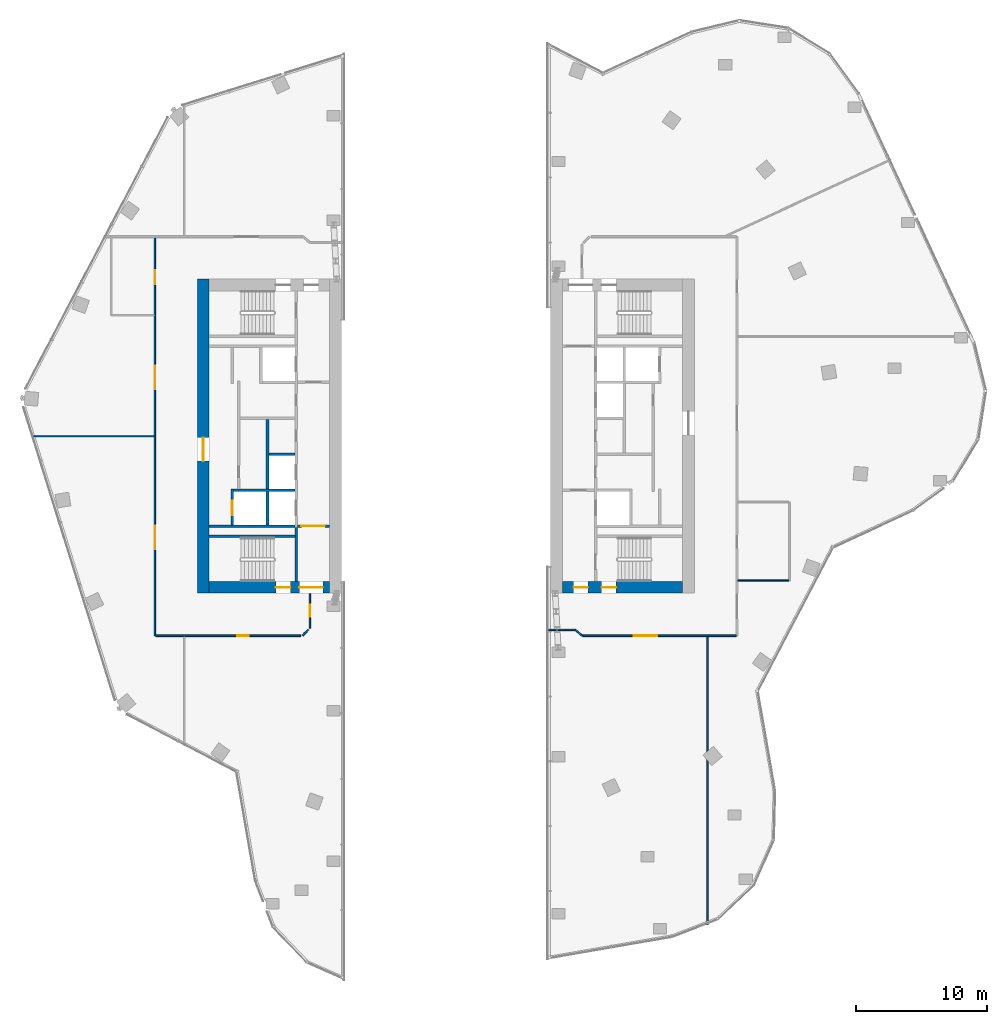
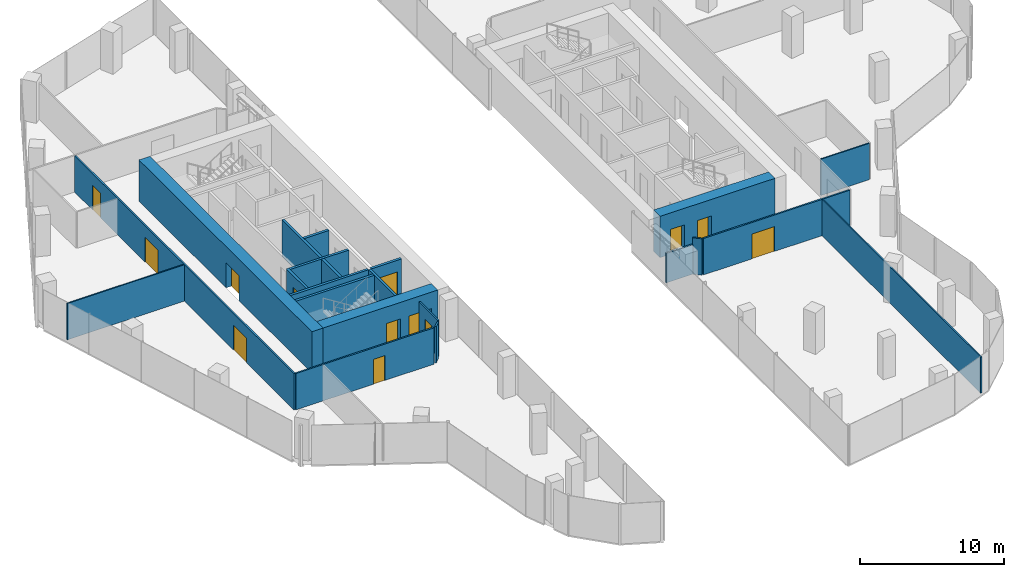
# One storey, part 18 of 23: 22 walls, 13 doors, 13 openings.
"""IFC4 building model written with IfcOpenShell, lengths in metres."""

from ifc_helpers import new_model, si_unit, direction, frame, frame_2d, origin, place, context, subcontext, project, spatial, rectangle, extrude, material, layer, layer_set, type_object, element, fill, save


model = new_model("IFC4")

# Units and contexts
model_context = context("Model", 3, precision=1e-05, world=origin(), true_north=direction((0.0, 1.0)))
body_context = subcontext(model_context, "Body", "Model", "MODEL_VIEW")
ifc_project = project(units=[si_unit("LENGTHUNIT", "METRE"), si_unit("AREAUNIT", "SQUARE_METRE"), si_unit("VOLUMEUNIT", "CUBIC_METRE"), si_unit("PLANEANGLEUNIT", "RADIAN"), si_unit("MASSUNIT", "GRAM", prefix="KILO")], contexts=[model_context])

# Site, building, storey
site_placement = place(None, origin())
site = spatial("IfcSite", under=ifc_project, at=site_placement, CompositionType="ELEMENT")
building_placement = place(site_placement, origin())
building = spatial("IfcBuilding", under=site, at=building_placement, Name="Orlundy Tower", CompositionType="ELEMENT")
storey_placement = place(building_placement, frame((0.0, 0.0, 257.0)))
storey = spatial("IfcBuildingStorey", under=building, at=storey_placement, Name="L68", CompositionType="ELEMENT", Elevation=257.0)

# Wall, openings, doors
ifc_material_1 = material(Name="Concrete C60/75", Category="concrete")
ifc_layer_1 = layer(ifc_material_1, 0.89990234375)
ifc_layer_set_1 = layer_set([ifc_layer_1], Name="CORE WALL 900 C60/75")
wall_type_1 = type_object("IfcWallType", Name="CORE WALL 900 C60/75", PredefinedType="SHEAR", material=ifc_layer_set_1)
wall_1_placement = place(storey_placement, frame((-18.10009765625, -11.550048828125, 0.0), z_axis=(0.0, 0.0, 1.0), x_axis=(1.0, 0.0, 0.0)))
wall_1 = element("IfcWall", 1, at=wall_1_placement, inside=storey, type_object=wall_type_1, Name="Core wall W-S L68", PredefinedType="SHEAR", context=body_context, shape_type="SweptSolid", body=[
    extrude(rectangle(XDim=9.2001953125, YDim=0.89990234375, at=frame_2d((4.60009765625, 0.0))), origin(), (0.0, 0.0, 1.0), 3.5),
])
opening_1_placement = place(wall_1_placement, frame((6.89990234375, 0.0, 0.0)))
opening_1 = element("IfcOpeningElement", 2, at=opening_1_placement, cuts=wall_1, Name="Opening 52012", PredefinedType="OPENING", context=body_context, shape_type="SweptSolid", body=[
    extrude(rectangle(XDim=1.800048828125, YDim=2.10009765625, at=frame_2d((0.89990234375, 1.050048828125))), frame((0.0, 0.4599609375, 0.0), z_axis=(0.0, -1.0, 0.0), x_axis=(1.0, 0.0, 0.0)), (0.0, 0.0, 1.0), 0.919921875),
])
opening_2_placement = place(wall_1_placement, frame((5.10009765625, 0.0, 0.0)))
opening_2 = element("IfcOpeningElement", 3, at=opening_2_placement, cuts=wall_1, Name="Opening 52014", PredefinedType="OPENING", context=body_context, shape_type="SweptSolid", body=[
    extrude(rectangle(XDim=1.10009765625, YDim=2.10009765625, at=frame_2d((0.550048828125, 1.050048828125))), frame((0.0, 0.4599609375, 0.0), z_axis=(0.0, -1.0, 0.0), x_axis=(1.0, 0.0, 0.0)), (0.0, 0.0, 1.0), 0.919921875),
])
ifc_material_2 = material(Name="Timber door set", Category="wood")
door_type_1 = type_object("IfcDoorType", Name="Lobby Door 1800x2100", OperationType="DOUBLE_DOOR_DOUBLE_SWING", PredefinedType="DOOR", material=ifc_material_2)
door_1_placement = place(opening_1_placement, origin())
door_1 = element("IfcDoor", 4, at=door_1_placement, inside=storey, type_object=door_type_1, Name="Passage door 52012", OperationType="SINGLE_SWING_RIGHT", OverallHeight=2.10009765625, OverallWidth=1.800048828125, PredefinedType="DOOR", context=body_context, shape_type="SweptSolid", body=[
    extrude(rectangle(XDim=1.800048828125, YDim=2.10009765625, at=frame_2d((0.89990234375, 1.050048828125))), frame((0.0, 0.02490234375, 0.0), z_axis=(0.0, -1.0, 0.0), x_axis=(1.0, 0.0, 0.0)), (0.0, 0.0, 1.0), 0.050048828125),
])
fill(opening_1, door_1)
ifc_material_3 = material(Name="Steel door set", Category="steel")
door_type_2 = type_object("IfcDoorType", Name="Stair Door 1100x2100", OperationType="SINGLE_SWING_LEFT", PredefinedType="DOOR", material=ifc_material_3)
door_2_placement = place(opening_2_placement, origin())
door_2 = element("IfcDoor", 5, at=door_2_placement, inside=storey, type_object=door_type_2, Name="Stair door 52014", OperationType="SINGLE_SWING_RIGHT", OverallHeight=2.10009765625, OverallWidth=1.10009765625, PredefinedType="DOOR", context=body_context, shape_type="SweptSolid", body=[
    extrude(rectangle(XDim=1.10009765625, YDim=2.10009765625, at=frame_2d((0.550048828125, 1.050048828125))), frame((0.0, 0.02490234375, 0.0), z_axis=(0.0, -1.0, 0.0), x_axis=(1.0, 0.0, 0.0)), (0.0, 0.0, 1.0), 0.050048828125),
])
fill(opening_2, door_2)

# Wall, opening, door
wall_2_placement = place(storey_placement, frame((-18.550048828125, -12.0, 0.0), z_axis=(0.0, 0.0, 1.0), x_axis=(0.0, 1.0, 0.0)))
wall_2 = element("IfcWall", 6, at=wall_2_placement, inside=storey, type_object=wall_type_1, Name="Core wall W-W L68", PredefinedType="SHEAR", context=body_context, shape_type="SweptSolid", body=[
    extrude(rectangle(XDim=24.0, YDim=0.89990234375, at=frame_2d((12.0, 0.0))), origin(), (0.0, 0.0, 1.0), 3.5),
])
opening_3_placement = place(wall_2_placement, frame((10.10009765625, 0.0, 0.0)))
opening_3 = element("IfcOpeningElement", 7, at=opening_3_placement, cuts=wall_2, Name="Opening 52008", PredefinedType="OPENING", context=body_context, shape_type="SweptSolid", body=[
    extrude(rectangle(XDim=1.800048828125, YDim=2.10009765625, at=frame_2d((0.89990234375, 1.050048828125))), frame((0.0, 0.4599609375, 0.0), z_axis=(0.0, -1.0, 0.0), x_axis=(1.0, 0.0, 0.0)), (0.0, 0.0, 1.0), 0.919921875),
])
door_3_placement = place(opening_3_placement, origin())
door_3 = element("IfcDoor", 8, at=door_3_placement, inside=storey, type_object=door_type_1, Name="Lift lobby door 52008", OperationType="SINGLE_SWING_LEFT", OverallHeight=2.10009765625, OverallWidth=1.800048828125, PredefinedType="DOOR", context=body_context, shape_type="SweptSolid", body=[
    extrude(rectangle(XDim=1.800048828125, YDim=2.10009765625, at=frame_2d((0.89990234375, 1.050048828125))), frame((0.0, 0.02490234375, 0.0), z_axis=(0.0, -1.0, 0.0), x_axis=(1.0, 0.0, 0.0)), (0.0, 0.0, 1.0), 0.050048828125),
])
fill(opening_3, door_3)

# Wall, openings, doors
wall_3_placement = place(storey_placement, frame((8.89990234375, -11.550048828125, 0.0), z_axis=(0.0, 0.0, 1.0), x_axis=(1.0, 0.0, 0.0)))
wall_3 = element("IfcWall", 9, at=wall_3_placement, inside=storey, type_object=wall_type_1, Name="Core wall E-S L68", PredefinedType="SHEAR", context=body_context, shape_type="SweptSolid", body=[
    extrude(rectangle(XDim=9.2001953125, YDim=0.89990234375, at=frame_2d((4.60009765625, 0.0))), origin(), (0.0, 0.0, 1.0), 3.5),
])
opening_4_placement = place(wall_3_placement, frame((0.85009765625, 0.0, 0.0)))
opening_4 = element("IfcOpeningElement", 10, at=opening_4_placement, cuts=wall_3, Name="Opening 52058", PredefinedType="OPENING", context=body_context, shape_type="SweptSolid", body=[
    extrude(rectangle(XDim=1.10009765625, YDim=2.10009765625, at=frame_2d((0.550048828125, 1.050048828125))), frame((0.0, 0.4599609375, 0.0), z_axis=(0.0, -1.0, 0.0), x_axis=(1.0, 0.0, 0.0)), (0.0, 0.0, 1.0), 0.919921875),
])
opening_5_placement = place(wall_3_placement, frame((3.0, 0.0, 0.0)))
opening_5 = element("IfcOpeningElement", 11, at=opening_5_placement, cuts=wall_3, Name="Opening 52062", PredefinedType="OPENING", context=body_context, shape_type="SweptSolid", body=[
    extrude(rectangle(XDim=1.10009765625, YDim=2.10009765625, at=frame_2d((0.550048828125, 1.050048828125))), frame((0.0, 0.4599609375, 0.0), z_axis=(0.0, -1.0, 0.0), x_axis=(1.0, 0.0, 0.0)), (0.0, 0.0, 1.0), 0.919921875),
])
ifc_material_4 = material(Name="Steel door set", Category="steel")
door_type_3 = type_object("IfcDoorType", Name="Fire-fighting Lobby Door 1100x2100", OperationType="SINGLE_SWING_LEFT", PredefinedType="DOOR", material=ifc_material_4)
door_4_placement = place(opening_4_placement, origin())
door_4 = element("IfcDoor", 12, at=door_4_placement, inside=storey, type_object=door_type_3, Name="Fire-fighting lobby door 52058", OperationType="SINGLE_SWING_LEFT", OverallHeight=2.10009765625, OverallWidth=1.10009765625, PredefinedType="DOOR", context=body_context, shape_type="SweptSolid", body=[
    extrude(rectangle(XDim=1.10009765625, YDim=2.10009765625, at=frame_2d((0.550048828125, 1.050048828125))), frame((0.0, 0.02490234375, 0.0), z_axis=(0.0, -1.0, 0.0), x_axis=(1.0, 0.0, 0.0)), (0.0, 0.0, 1.0), 0.050048828125),
])
fill(opening_4, door_4)
door_5_placement = place(opening_5_placement, origin())
door_5 = element("IfcDoor", 13, at=door_5_placement, inside=storey, type_object=door_type_2, Name="Stair door 52062", OperationType="SINGLE_SWING_LEFT", OverallHeight=2.10009765625, OverallWidth=1.10009765625, PredefinedType="DOOR", context=body_context, shape_type="SweptSolid", body=[
    extrude(rectangle(XDim=1.10009765625, YDim=2.10009765625, at=frame_2d((0.550048828125, 1.050048828125))), frame((0.0, 0.02490234375, 0.0), z_axis=(0.0, -1.0, 0.0), x_axis=(1.0, 0.0, 0.0)), (0.0, 0.0, 1.0), 0.050048828125),
])
fill(opening_5, door_5)

# Walls
ifc_material_5 = material(Name="Gypsum board partition")
ifc_layer_2 = layer(ifc_material_5, 0.10009765625)
ifc_layer_set_2 = layer_set([ifc_layer_2], Name="Floor partition 100")
wall_type_2 = type_object("IfcWallType", Name="Floor partition 100", PredefinedType="PARTITIONING", material=ifc_layer_set_2)
wall_4_placement = place(storey_placement, frame((22.31396484375, -11.030029296875, 0.0), z_axis=(0.0, 0.0, 1.0), x_axis=(1.0, 0.0, 0.0)))
element("IfcWall", 14, at=wall_4_placement, inside=storey, type_object=wall_type_2, Name="wall-int-L68-004", PredefinedType="PARTITIONING", context=body_context, shape_type="SweptSolid", body=[
    extrude(rectangle(XDim=3.885009765625, YDim=0.10009765625, at=frame_2d((1.9423828125, 0.0))), origin(), (0.0, 0.0, 1.0), 3.080078125),
])
wall_5_placement = place(storey_placement, frame((-31.68994140625, 0.0, 0.0), z_axis=(0.0, 0.0, 1.0), x_axis=(1.0, 0.0, 0.0)))
element("IfcWall", 15, at=wall_5_placement, inside=storey, type_object=wall_type_2, Name="wall-int-L68-006", PredefinedType="PARTITIONING", context=body_context, shape_type="SweptSolid", body=[
    extrude(rectangle(XDim=9.3779296875, YDim=0.10009765625, at=frame_2d((4.68896484375, 0.0))), origin(), (0.0, 0.0, 1.0), 3.080078125),
])
wall_6_placement = place(storey_placement, frame((20.0, -37.323974609375, 0.0), z_axis=(0.0, 0.0, 1.0), x_axis=(0.0, 1.0, 0.0)))
element("IfcWall", 16, at=wall_6_placement, inside=storey, type_object=wall_type_2, Name="wall-int-L68-017", PredefinedType="PARTITIONING", context=body_context, shape_type="SweptSolid", body=[
    extrude(rectangle(XDim=22.011962890625, YDim=0.10009765625, at=frame_2d((11.005859375, 0.0))), origin(), (0.0, 0.0, 1.0), 3.080078125),
])

# Wall, opening, door
ifc_material_6 = material(Name="Gypsum board partition, double layer")
ifc_layer_3 = layer(ifc_material_6, 0.125)
ifc_layer_set_3 = layer_set([ifc_layer_3], Name="Floor partition 125")
wall_type_3 = type_object("IfcWallType", Name="Floor partition 125", PredefinedType="PARTITIONING", material=ifc_layer_set_3)
wall_7_placement = place(storey_placement, frame((-11.10595703125, -15.25, 0.0), z_axis=(0.0, 0.0, 1.0), x_axis=(-1.0, 0.0, 0.0)))
wall_7 = element("IfcWall", 17, at=wall_7_placement, inside=storey, type_object=wall_type_3, Name="wall-int-L68-001", PredefinedType="PARTITIONING", context=body_context, shape_type="SweptSolid", body=[
    extrude(rectangle(XDim=11.08203125, YDim=0.125, at=frame_2d((5.541015625, 0.0))), origin(), (0.0, 0.0, 1.0), 3.080078125),
])
opening_6_placement = place(wall_7_placement, frame((3.951904296875, 0.0, 0.0)))
opening_6 = element("IfcOpeningElement", 18, at=opening_6_placement, cuts=wall_7, Name="Opening 52101", PredefinedType="OPENING", context=body_context, shape_type="SweptSolid", body=[
    extrude(rectangle(XDim=0.89990234375, YDim=2.10009765625, at=frame_2d((0.449951171875, 1.050048828125))), frame((0.0, 0.072509765625, 0.0), z_axis=(0.0, -1.0, 0.0), x_axis=(1.0, 0.0, 0.0)), (0.0, 0.0, 1.0), 0.14501953125),
])
ifc_material_7 = material(Name="Timber door leaf", Category="wood")
door_type_4 = type_object("IfcDoorType", Name="Floor door single 900 FD30S", OperationType="NOTDEFINED", PredefinedType="DOOR", material=ifc_material_7)
door_6_placement = place(opening_6_placement, origin())
door_6 = element("IfcDoor", 19, at=door_6_placement, inside=storey, type_object=door_type_4, Name="Door 52101", OperationType="SINGLE_SWING_LEFT", OverallHeight=2.10009765625, OverallWidth=0.89990234375, PredefinedType="DOOR", context=body_context, shape_type="SweptSolid", body=[
    extrude(rectangle(XDim=0.89990234375, YDim=2.10009765625, at=frame_2d((0.449951171875, 1.050048828125))), frame((0.0, 0.02490234375, 0.0), z_axis=(0.0, -1.0, 0.0), x_axis=(1.0, 0.0, 0.0)), (0.0, 0.0, 1.0), 0.050048828125),
])
fill(opening_6, door_6)

wall_8_placement = place(storey_placement, frame((22.18896484375, -15.25, 0.0), z_axis=(0.0, 0.0, 1.0), x_axis=(-1.0, 0.0, 0.0)))
wall_8 = element("IfcWall", 20, at=wall_8_placement, inside=storey, type_object=wall_type_3, Name="wall-int-L68-002", PredefinedType="PARTITIONING", context=body_context, shape_type="SweptSolid", body=[
    extrude(rectangle(XDim=11.72607421875, YDim=0.125, at=frame_2d((5.863037109375, 0.0))), origin(), (0.0, 0.0, 1.0), 3.080078125),
])
opening_7_placement = place(wall_8_placement, frame((6.03857421875, 0.0, 0.0)))
opening_7 = element("IfcOpeningElement", 21, at=opening_7_placement, cuts=wall_8, Name="Opening 52103", PredefinedType="OPENING", context=body_context, shape_type="SweptSolid", body=[
    extrude(rectangle(XDim=1.800048828125, YDim=2.10009765625, at=frame_2d((0.89990234375, 1.050048828125))), frame((0.0, 0.072509765625, 0.0), z_axis=(0.0, -1.0, 0.0), x_axis=(1.0, 0.0, 0.0)), (0.0, 0.0, 1.0), 0.14501953125),
])
ifc_material_8 = material(Name="Timber door leaf", Category="wood")
door_type_5 = type_object("IfcDoorType", Name="Floor door double 1800 FD30S", OperationType="NOTDEFINED", PredefinedType="DOOR", material=ifc_material_8)
door_7_placement = place(opening_7_placement, origin())
door_7 = element("IfcDoor", 22, at=door_7_placement, inside=storey, type_object=door_type_5, Name="Door 52103", OperationType="DOUBLE_DOOR_SINGLE_SWING", OverallHeight=2.10009765625, OverallWidth=1.800048828125, PredefinedType="DOOR", context=body_context, shape_type="SweptSolid", body=[
    extrude(rectangle(XDim=1.800048828125, YDim=2.10009765625, at=frame_2d((0.89990234375, 1.050048828125))), frame((0.0, 0.02490234375, 0.0), z_axis=(0.0, -1.0, 0.0), x_axis=(1.0, 0.0, 0.0)), (0.0, 0.0, 1.0), 0.050048828125),
])
fill(opening_7, door_7)

# Walls
wall_9_placement = place(storey_placement, frame((-10.949951171875, -15.22900390625, 0.0), z_axis=(0.0, 0.0, 1.0), x_axis=(0.698110320765, 0.715990209459, 0.0)))
element("IfcWall", 23, at=wall_9_placement, inside=storey, type_object=wall_type_3, Name="wall-int-L68-013", PredefinedType="PARTITIONING", context=body_context, shape_type="SweptSolid", body=[
    extrude(rectangle(XDim=0.614501953125, YDim=0.125, at=frame_2d((0.30712890625, 0.0))), origin(), (0.0, 0.0, 1.0), 3.080078125),
])
wall_10_placement = place(storey_placement, frame((10.39990234375, -15.25, 0.0), z_axis=(0.0, 0.0, 1.0), x_axis=(-0.751218826875, 0.660053235845, 0.0)))
element("IfcWall", 24, at=wall_10_placement, inside=storey, type_object=wall_type_3, Name="wall-int-L68-018", PredefinedType="PARTITIONING", context=body_context, shape_type="SweptSolid", body=[
    extrude(rectangle(XDim=0.68017578125, YDim=0.125, at=frame_2d((0.340087890625, 0.0))), origin(), (0.0, 0.0, 1.0), 3.080078125),
])

# Wall, opening, door
wall_11_placement = place(storey_placement, frame((-10.39892578125, -12.050048828125, 0.0), z_axis=(0.0, 0.0, 1.0), x_axis=(0.0, -1.0, 0.0)))
wall_11 = element("IfcWall", 25, at=wall_11_placement, inside=storey, type_object=wall_type_3, Name="wall-int-L68-020", PredefinedType="PARTITIONING", context=body_context, shape_type="SweptSolid", body=[
    extrude(rectangle(XDim=2.620849609375, YDim=0.125, at=frame_2d((1.310546875, 0.0))), origin(), (0.0, 0.0, 1.0), 3.080078125),
])
opening_8_placement = place(wall_11_placement, frame((0.85009765625, 0.0, 0.0)))
opening_8 = element("IfcOpeningElement", 26, at=opening_8_placement, cuts=wall_11, Name="Opening 52102", PredefinedType="OPENING", context=body_context, shape_type="SweptSolid", body=[
    extrude(rectangle(XDim=0.89990234375, YDim=2.10009765625, at=frame_2d((0.449951171875, 1.050048828125))), frame((0.0, 0.072509765625, 0.0), z_axis=(0.0, -1.0, 0.0), x_axis=(1.0, 0.0, 0.0)), (0.0, 0.0, 1.0), 0.14501953125),
])
door_8_placement = place(opening_8_placement, origin())
door_8 = element("IfcDoor", 27, at=door_8_placement, inside=storey, type_object=door_type_4, Name="Door 52102", OperationType="SINGLE_SWING_LEFT", OverallHeight=2.10009765625, OverallWidth=0.89990234375, PredefinedType="DOOR", context=body_context, shape_type="SweptSolid", body=[
    extrude(rectangle(XDim=0.89990234375, YDim=2.10009765625, at=frame_2d((0.449951171875, 1.050048828125))), frame((0.0, 0.02490234375, 0.0), z_axis=(0.0, -1.0, 0.0), x_axis=(1.0, 0.0, 0.0)), (0.0, 0.0, 1.0), 0.050048828125),
])
fill(opening_8, door_8)

# Wall, openings, doors
wall_12_placement = place(storey_placement, frame((-22.25, -15.25, 0.0), z_axis=(0.0, 0.0, 1.0), x_axis=(0.0, 1.0, 0.0)))
wall_12 = element("IfcWall", 28, at=wall_12_placement, inside=storey, type_object=wall_type_3, Name="wall-int-L68-024", PredefinedType="PARTITIONING", context=body_context, shape_type="SweptSolid", body=[
    extrude(rectangle(XDim=30.43701171875, YDim=0.125, at=frame_2d((15.218505859375, 0.0))), origin(), (0.0, 0.0, 1.0), 3.080078125),
])
opening_9_placement = place(wall_12_placement, frame((6.60009765625, 0.0, 0.0)))
opening_9 = element("IfcOpeningElement", 29, at=opening_9_placement, cuts=wall_12, Name="Opening 52100", PredefinedType="OPENING", context=body_context, shape_type="SweptSolid", body=[
    extrude(rectangle(XDim=1.800048828125, YDim=2.10009765625, at=frame_2d((0.89990234375, 1.050048828125))), frame((0.0, 0.072509765625, 0.0), z_axis=(0.0, -1.0, 0.0), x_axis=(1.0, 0.0, 0.0)), (0.0, 0.0, 1.0), 0.14501953125),
])
opening_10_placement = place(wall_12_placement, frame((18.85009765625, 0.0, 0.0)))
opening_10 = element("IfcOpeningElement", 30, at=opening_10_placement, cuts=wall_12, Name="Opening 52109", PredefinedType="OPENING", context=body_context, shape_type="SweptSolid", body=[
    extrude(rectangle(XDim=1.800048828125, YDim=2.10009765625, at=frame_2d((0.89990234375, 1.050048828125))), frame((0.0, 0.072509765625, 0.0), z_axis=(0.0, -1.0, 0.0), x_axis=(1.0, 0.0, 0.0)), (0.0, 0.0, 1.0), 0.14501953125),
])
opening_11_placement = place(wall_12_placement, frame((26.84912109375, 0.0, 0.0)))
opening_11 = element("IfcOpeningElement", 31, at=opening_11_placement, cuts=wall_12, Name="Opening 52111", PredefinedType="OPENING", context=body_context, shape_type="SweptSolid", body=[
    extrude(rectangle(XDim=1.10009765625, YDim=2.10009765625, at=frame_2d((0.550048828125, 1.050048828125))), frame((0.0, 0.072509765625, 0.0), z_axis=(0.0, -1.0, 0.0), x_axis=(1.0, 0.0, 0.0)), (0.0, 0.0, 1.0), 0.14501953125),
])
door_9_placement = place(opening_9_placement, origin())
door_9 = element("IfcDoor", 32, at=door_9_placement, inside=storey, type_object=door_type_5, Name="Door 52100", OperationType="DOUBLE_DOOR_SINGLE_SWING", OverallHeight=2.10009765625, OverallWidth=1.800048828125, PredefinedType="DOOR", context=body_context, shape_type="SweptSolid", body=[
    extrude(rectangle(XDim=1.800048828125, YDim=2.10009765625, at=frame_2d((0.89990234375, 1.050048828125))), frame((0.0, 0.02490234375, 0.0), z_axis=(0.0, -1.0, 0.0), x_axis=(1.0, 0.0, 0.0)), (0.0, 0.0, 1.0), 0.050048828125),
])
fill(opening_9, door_9)
door_10_placement = place(opening_10_placement, origin())
door_10 = element("IfcDoor", 33, at=door_10_placement, inside=storey, type_object=door_type_5, Name="Door 52109", OperationType="DOUBLE_DOOR_SINGLE_SWING", OverallHeight=2.10009765625, OverallWidth=1.800048828125, PredefinedType="DOOR", context=body_context, shape_type="SweptSolid", body=[
    extrude(rectangle(XDim=1.800048828125, YDim=2.10009765625, at=frame_2d((0.89990234375, 1.050048828125))), frame((0.0, 0.02490234375, 0.0), z_axis=(0.0, -1.0, 0.0), x_axis=(1.0, 0.0, 0.0)), (0.0, 0.0, 1.0), 0.050048828125),
])
fill(opening_10, door_10)
ifc_material_9 = material(Name="Timber door leaf", Category="wood")
door_type_6 = type_object("IfcDoorType", Name="Floor door xwide 1100 FD30S", OperationType="NOTDEFINED", PredefinedType="DOOR", material=ifc_material_9)
door_11_placement = place(opening_11_placement, origin())
door_11 = element("IfcDoor", 34, at=door_11_placement, inside=storey, type_object=door_type_6, Name="Door 52111", OperationType="SINGLE_SWING_RIGHT", OverallHeight=2.10009765625, OverallWidth=1.10009765625, PredefinedType="DOOR", context=body_context, shape_type="SweptSolid", body=[
    extrude(rectangle(XDim=1.10009765625, YDim=2.10009765625, at=frame_2d((0.550048828125, 1.050048828125))), frame((0.0, 0.02490234375, 0.0), z_axis=(0.0, -1.0, 0.0), x_axis=(1.0, 0.0, 0.0)), (0.0, 0.0, 1.0), 0.050048828125),
])
fill(opening_11, door_11)

# Walls
ifc_material_10 = material(Name="Gypsum board partition, double layer")
ifc_layer_4 = layer(ifc_material_10, 0.125)
ifc_layer_set_4 = layer_set([ifc_layer_4], Name="Floor partition 125 B")
wall_type_4 = type_object("IfcWallType", Name="Floor partition 125 B", PredefinedType="PARTITIONING", material=ifc_layer_set_4)
wall_13_placement = place(storey_placement, frame((7.75, -14.801025390625, 0.0), z_axis=(0.0, 0.0, 1.0), x_axis=(1.0, 0.0, 0.0)))
element("IfcWall", 35, at=wall_13_placement, inside=storey, type_object=wall_type_4, Name="wall-int-L68-003", PredefinedType="PARTITIONING", context=body_context, shape_type="SweptSolid", body=[
    extrude(rectangle(XDim=2.138916015625, YDim=0.125, at=frame_2d((1.0693359375, 0.0))), origin(), (0.0, 0.0, 1.0), 2.496337890625),
])
ifc_material_11 = material(Name="Concrete C40/50", Category="concrete")
ifc_layer_5 = layer(ifc_material_11, 0.199951171875)
ifc_layer_set_5 = layer_set([ifc_layer_5], Name="Load-bearing Shaft Wall 200")
wall_type_5 = type_object("IfcWallType", Name="Load-bearing Shaft Wall 200", PredefinedType="SOLIDWALL", material=ifc_layer_set_5)
wall_14_placement = place(storey_placement, frame((-11.43994140625, -11.10009765625, 0.0), z_axis=(0.0, 0.0, 1.0), x_axis=(0.0, 1.0, 0.0)))
element("IfcWall", 36, at=wall_14_placement, inside=storey, type_object=wall_type_5, Name="Shaft wall W52-stair-end-s", PredefinedType="SOLIDWALL", context=body_context, shape_type="SweptSolid", body=[
    extrude(rectangle(XDim=4.125, YDim=0.199951171875, at=frame_2d((2.0625, 0.0))), origin(), (0.0, 0.0, 1.0), 3.090087890625),
])
wall_15_placement = place(storey_placement, frame((-11.5400390625, -7.64990234375, 0.0), z_axis=(0.0, 0.0, 1.0), x_axis=(-1.0, 0.0, 0.0)))
element("IfcWall", 37, at=wall_15_placement, inside=storey, type_object=wall_type_5, Name="Shaft wall W52-stair-side-s", PredefinedType="SOLIDWALL", context=body_context, shape_type="SweptSolid", body=[
    extrude(rectangle(XDim=6.56005859375, YDim=0.199951171875, at=frame_2d((3.280029296875, 0.0))), origin(), (0.0, 0.0, 1.0), 3.090087890625),
])

# Wall, opening, door
ifc_material_12 = material(Name="Gypsum board partition on steel studs", Category="steel")
ifc_layer_6 = layer(ifc_material_12, 0.199951171875)
ifc_layer_set_6 = layer_set([ifc_layer_6], Name="Partition 200")
wall_type_6 = type_object("IfcWallType", Name="Partition 200", PredefinedType="PARTITIONING", material=ifc_layer_set_6)
wall_16_placement = place(storey_placement, frame((-8.89990234375, -6.875, 0.0), z_axis=(0.0, 0.0, 1.0), x_axis=(-1.0, 0.0, 0.0)))
wall_16 = element("IfcWall", 38, at=wall_16_placement, inside=storey, type_object=wall_type_6, Name="Partition wall W52-end-s", PredefinedType="PARTITIONING", context=body_context, shape_type="SweptSolid", body=[
    extrude(rectangle(XDim=2.440185546875, YDim=0.199951171875, at=frame_2d((1.22021484375, 0.0))), origin(), (0.0, 0.0, 1.0), 3.090087890625),
])
opening_12_placement = place(wall_16_placement, frame((0.35009765625, 0.0, 0.0)))
opening_12 = element("IfcOpeningElement", 39, at=opening_12_placement, cuts=wall_16, Name="Opening 52011", PredefinedType="OPENING", context=body_context, shape_type="SweptSolid", body=[
    extrude(rectangle(XDim=1.800048828125, YDim=2.10009765625, at=frame_2d((0.89990234375, 1.050048828125))), frame((0.0, 0.110107421875, 0.0), z_axis=(0.0, -1.0, 0.0), x_axis=(1.0, 0.0, 0.0)), (0.0, 0.0, 1.0), 0.22021484375),
])
door_12_placement = place(opening_12_placement, origin())
door_12 = element("IfcDoor", 40, at=door_12_placement, inside=storey, type_object=door_type_1, Name="Lift lobby to passage door 52011", OperationType="DOUBLE_DOOR_DOUBLE_SWING", OverallHeight=2.10009765625, OverallWidth=1.800048828125, PredefinedType="DOOR", context=body_context, shape_type="SweptSolid", body=[
    extrude(rectangle(XDim=1.800048828125, YDim=2.10009765625, at=frame_2d((0.89990234375, 1.050048828125))), frame((0.0, 0.02490234375, 0.0), z_axis=(0.0, -1.0, 0.0), x_axis=(1.0, 0.0, 0.0)), (0.0, 0.0, 1.0), 0.050048828125),
])
fill(opening_12, door_12)

# Walls
ifc_material_13 = material(Name="Fire-rated blockwork shaft wall", Category="masonry")
ifc_layer_7 = layer(ifc_material_13, 0.199951171875)
ifc_layer_set_7 = layer_set([ifc_layer_7], Name="Shaft Wall 200")
wall_type_7 = type_object("IfcWallType", Name="Shaft Wall 200", PredefinedType="SOLIDWALL", material=ifc_layer_set_7)
wall_17_placement = place(storey_placement, frame((-11.5400390625, -6.875, 0.0), z_axis=(0.0, 0.0, 1.0), x_axis=(-1.0, 0.0, 0.0)))
element("IfcWall", 41, at=wall_17_placement, inside=storey, type_object=wall_type_7, Name="Shaft wall W52-zone-s", PredefinedType="SOLIDWALL", context=body_context, shape_type="SweptSolid", body=[
    extrude(rectangle(XDim=6.56005859375, YDim=0.199951171875, at=frame_2d((3.280029296875, 0.0))), origin(), (0.0, 0.0, 1.0), 3.090087890625),
])
wall_18_placement = place(storey_placement, frame((-11.5400390625, -4.125, 0.0), z_axis=(0.0, 0.0, 1.0), x_axis=(-1.0, 0.0, 0.0)))
element("IfcWall", 42, at=wall_18_placement, inside=storey, type_object=wall_type_7, Name="Shaft wall W52-cross-4.125", PredefinedType="SOLIDWALL", context=body_context, shape_type="SweptSolid", body=[
    extrude(rectangle(XDim=4.699951171875, YDim=0.199951171875, at=frame_2d((2.35009765625, 0.0))), origin(), (0.0, 0.0, 1.0), 3.090087890625),
])
wall_19_placement = place(storey_placement, frame((-11.5400390625, -1.375, 0.0), z_axis=(0.0, 0.0, 1.0), x_axis=(-1.0, 0.0, 0.0)))
element("IfcWall", 43, at=wall_19_placement, inside=storey, type_object=wall_type_7, Name="Shaft wall W52-cross-1.375", PredefinedType="SOLIDWALL", context=body_context, shape_type="SweptSolid", body=[
    extrude(rectangle(XDim=2.0, YDim=0.199951171875, at=frame_2d((1.0, 0.0))), origin(), (0.0, 0.0, 1.0), 3.090087890625),
])
wall_20_placement = place(storey_placement, frame((-13.639892578125, -6.77490234375, 0.0), z_axis=(0.0, 0.0, 1.0), x_axis=(0.0, 1.0, 0.0)))
element("IfcWall", 44, at=wall_20_placement, inside=storey, type_object=wall_type_7, Name="Shaft wall W52-mid-a", PredefinedType="SOLIDWALL", context=body_context, shape_type="SweptSolid", body=[
    extrude(rectangle(XDim=2.5498046875, YDim=0.199951171875, at=frame_2d((1.27490234375, 0.0))), origin(), (0.0, 0.0, 1.0), 3.090087890625),
])
wall_21_placement = place(storey_placement, frame((-13.639892578125, -4.02490234375, 0.0), z_axis=(0.0, 0.0, 1.0), x_axis=(0.0, 1.0, 0.0)))
element("IfcWall", 45, at=wall_21_placement, inside=storey, type_object=wall_type_7, Name="Shaft wall W52-mid-a.1", PredefinedType="SOLIDWALL", context=body_context, shape_type="SweptSolid", body=[
    extrude(rectangle(XDim=5.2998046875, YDim=0.199951171875, at=frame_2d((2.64990234375, 0.0))), origin(), (0.0, 0.0, 1.0), 3.090087890625),
])

# Wall, opening, door
wall_22_placement = place(storey_placement, frame((-16.340087890625, -6.77490234375, 0.0), z_axis=(0.0, 0.0, 1.0), x_axis=(0.0, 1.0, 0.0)))
wall_22 = element("IfcWall", 46, at=wall_22_placement, inside=storey, type_object=wall_type_7, Name="Shaft wall W52-front-o-a", PredefinedType="SOLIDWALL", context=body_context, shape_type="SweptSolid", body=[
    extrude(rectangle(XDim=2.75, YDim=0.199951171875, at=frame_2d((1.375, 0.0))), origin(), (0.0, 0.0, 1.0), 3.090087890625),
])
opening_13_placement = place(wall_22_placement, frame((0.72509765625, 0.0, 0.0)))
opening_13 = element("IfcOpeningElement", 47, at=opening_13_placement, cuts=wall_22, Name="Opening 52002", PredefinedType="OPENING", context=body_context, shape_type="SweptSolid", body=[
    extrude(rectangle(XDim=1.10009765625, YDim=2.10009765625, at=frame_2d((0.550048828125, 1.050048828125))), frame((0.0, 0.110107421875, 0.0), z_axis=(0.0, -1.0, 0.0), x_axis=(1.0, 0.0, 0.0)), (0.0, 0.0, 1.0), 0.22021484375),
])
ifc_material_14 = material(Name="Steel door set", Category="steel")
door_type_7 = type_object("IfcDoorType", Name="Landing Door 1100x2100", OperationType="DOUBLE_DOOR_SLIDING", PredefinedType="DOOR", material=ifc_material_14)
door_13_placement = place(opening_13_placement, origin())
door_13 = element("IfcDoor", 48, at=door_13_placement, inside=storey, type_object=door_type_7, Name="Lift landing door LV-01 52002", OperationType="DOUBLE_DOOR_SLIDING", OverallHeight=2.10009765625, OverallWidth=1.10009765625, PredefinedType="DOOR", context=body_context, shape_type="SweptSolid", body=[
    extrude(rectangle(XDim=1.10009765625, YDim=2.10009765625, at=frame_2d((0.550048828125, 1.050048828125))), frame((0.0, 0.02490234375, 0.0), z_axis=(0.0, -1.0, 0.0), x_axis=(1.0, 0.0, 0.0)), (0.0, 0.0, 1.0), 0.050048828125),
])
fill(opening_13, door_13)

save(model, "model.ifc")
